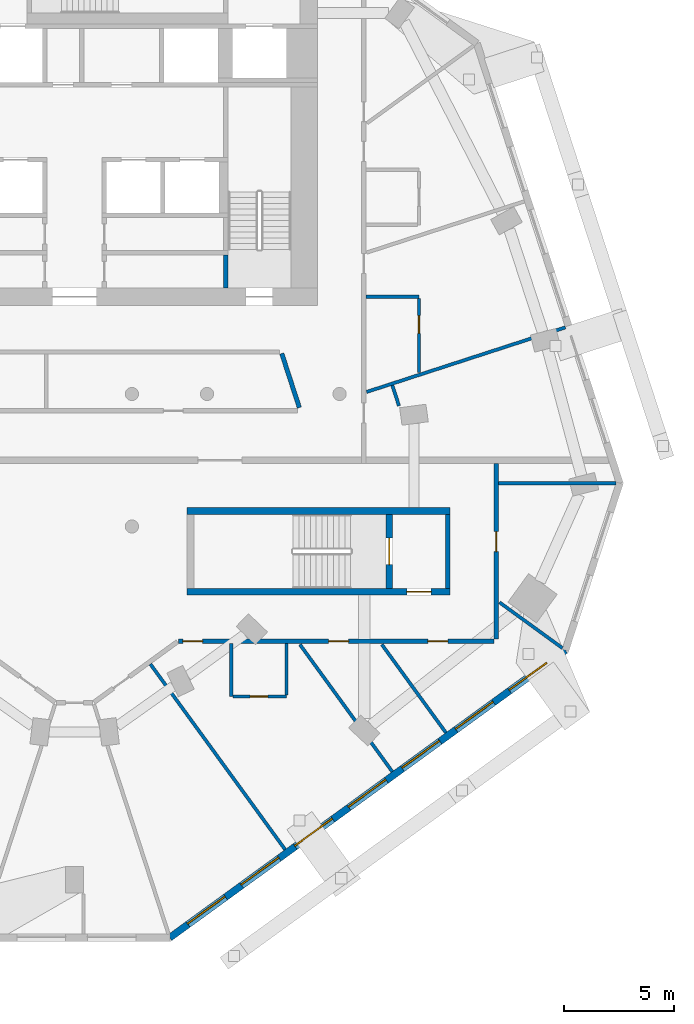
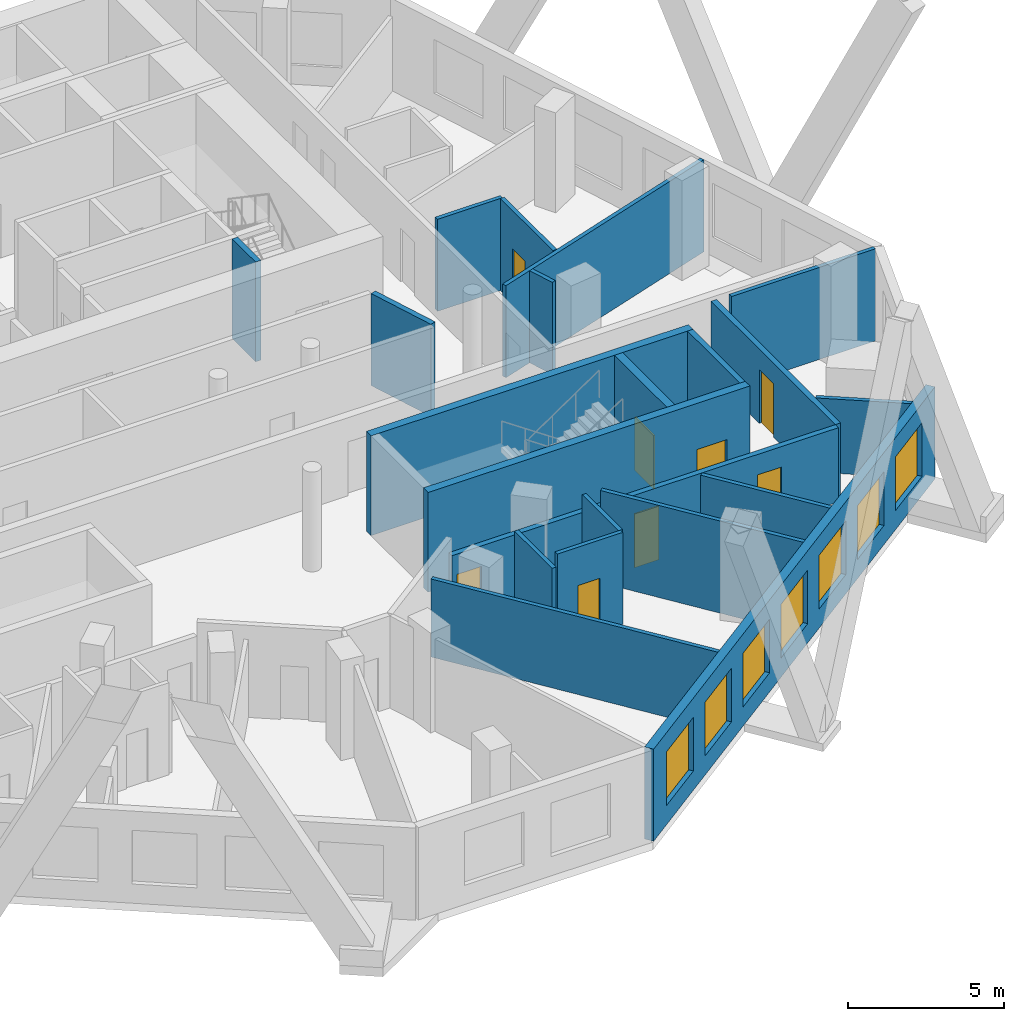
# One storey, part 5 of 10: 21 walls, 8 doors, 7 windows, 15 openings.
"""IFC4 building model written with IfcOpenShell, lengths in metres."""

from ifc_helpers import new_model, si_unit, direction, frame, frame_2d, origin, place, context, subcontext, project, spatial, rectangle, extrude, material, layer, layer_set, type_object, element, fill, save


model = new_model("IFC4")

# Units and contexts
model_context = context("Model", 3, precision=1e-05, world=origin(), true_north=direction((0.0, 1.0)))
body_context = subcontext(model_context, "Body", "Model", "MODEL_VIEW")
ifc_project = project(units=[si_unit("LENGTHUNIT", "METRE"), si_unit("AREAUNIT", "SQUARE_METRE"), si_unit("VOLUMEUNIT", "CUBIC_METRE"), si_unit("PLANEANGLEUNIT", "RADIAN"), si_unit("MASSUNIT", "GRAM", prefix="KILO")], contexts=[model_context])

# Site, building, storey
site_placement = place(None, origin())
site = spatial("IfcSite", under=ifc_project, at=site_placement, CompositionType="ELEMENT")
building_placement = place(site_placement, origin())
building = spatial("IfcBuilding", under=site, at=building_placement, Name="White Candle Pilgrim Tower", CompositionType="ELEMENT")
storey_placement = place(building_placement, frame((0.0, 0.0, 208.199951171875)))
storey = spatial("IfcBuildingStorey", under=building, at=storey_placement, Name="L48", CompositionType="ELEMENT", Elevation=208.199951171875)

# Wall
ifc_material_1 = material(Name="Concrete C50/60", Category="concrete")
ifc_layer_1 = layer(ifc_material_1, 0.199951171875)
ifc_layer_set_1 = layer_set([ifc_layer_1], Name="Core wall 200 mm Concrete C50/60")
wall_type_1 = type_object("IfcWallType", Name="Core wall 200 mm Concrete C50/60", PredefinedType="SHEAR", material=ifc_layer_set_1)
wall_1_placement = place(storey_placement, frame((86.89990234375, 58.199951171875, 0.0), z_axis=(0.0, 0.0, 1.0), x_axis=(0.0, 1.0, 0.0)))
element("IfcWall", 1, at=wall_1_placement, inside=storey, type_object=wall_type_1, Name="WL-L48-C08", PredefinedType="SHEAR", context=body_context, shape_type="SweptSolid", body=[
    extrude(rectangle(XDim=3.35009765625, YDim=0.199951171875, at=frame_2d((1.675048828125, 0.0))), origin(), (0.0, 0.0, 1.0), 3.900146484375),
])

# Wall, opening, door
ifc_material_2 = material(Name="Gypsum board on steel studs", Category="steel")
ifc_layer_2 = layer(ifc_material_2, 0.199951171875)
ifc_layer_set_2 = layer_set([ifc_layer_2], Name="Corridor wall 200 mm EI 45")
wall_type_2 = type_object("IfcWallType", Name="Corridor wall 200 mm EI 45", PredefinedType="PARTITIONING", material=ifc_layer_set_2)
wall_2_placement = place(storey_placement, frame((89.10009765625, 63.85009765625, 0.0), z_axis=(0.0, 0.0, 1.0), x_axis=(0.0, -1.0, 0.0)))
wall_2 = element("IfcWall", 2, at=wall_2_placement, inside=storey, type_object=wall_type_2, Name="WL-L48-P004", PredefinedType="PARTITIONING", context=body_context, shape_type="SweptSolid", body=[
    extrude(rectangle(XDim=7.9501953125, YDim=0.199951171875, at=frame_2d((3.97509765625, 0.0))), origin(), (0.0, 0.0, 1.0), 2.900146484375),
])
opening_1_placement = place(wall_2_placement, frame((3.08349609375, 0.0, 0.0)))
opening_1 = element("IfcOpeningElement", 3, at=opening_1_placement, cuts=wall_2, Name="Opening T15-116", PredefinedType="OPENING", context=body_context, shape_type="SweptSolid", body=[
    extrude(rectangle(XDim=0.89990234375, YDim=2.10009765625, at=frame_2d((0.449951171875, 1.050048828125))), frame((0.0, 0.10986328125, 0.0), z_axis=(0.0, -1.0, 0.0), x_axis=(1.0, 0.0, 0.0)), (0.0, 0.0, 1.0), 0.219970703125),
])
ifc_material_3 = material(Name="Steel door leaf", Category="steel")
door_type_1 = type_object("IfcDoorType", Name="Fire door 900 x 2100 EI 30", OperationType="NOTDEFINED", PredefinedType="DOOR", material=ifc_material_3)
door_1_placement = place(opening_1_placement, origin())
door_1 = element("IfcDoor", 4, at=door_1_placement, inside=storey, type_object=door_type_1, Name="Door T15-116", OperationType="SINGLE_SWING_RIGHT", OverallHeight=2.10009765625, OverallWidth=0.89990234375, PredefinedType="DOOR", context=body_context, shape_type="SweptSolid", body=[
    extrude(rectangle(XDim=0.89990234375, YDim=2.10009765625, at=frame_2d((0.449951171875, 1.050048828125))), frame((0.0, 0.02490234375, 0.0), z_axis=(0.0, -1.0, 0.0), x_axis=(1.0, 0.0, 0.0)), (0.0, 0.0, 1.0), 0.050048828125),
])
fill(opening_1, door_1)

# Wall, openings, doors
wall_3_placement = place(storey_placement, frame((89.0, 55.800048828125, 0.0), z_axis=(0.0, 0.0, 1.0), x_axis=(-1.0, 0.0, 0.0)))
wall_3 = element("IfcWall", 5, at=wall_3_placement, inside=storey, type_object=wall_type_2, Name="WL-L48-P005", PredefinedType="PARTITIONING", context=body_context, shape_type="SweptSolid", body=[
    extrude(rectangle(XDim=14.28466796875, YDim=0.199951171875, at=frame_2d((7.142333984375, 0.0))), origin(), (0.0, 0.0, 1.0), 2.900146484375),
])
opening_2_placement = place(wall_3_placement, frame((13.197265625, 0.0, 0.0)))
opening_2 = element("IfcOpeningElement", 6, at=opening_2_placement, cuts=wall_3, Name="Opening T15-113", PredefinedType="OPENING", context=body_context, shape_type="SweptSolid", body=[
    extrude(rectangle(XDim=0.89990234375, YDim=2.10009765625, at=frame_2d((0.449951171875, 1.050048828125))), frame((0.0, 0.10986328125, 0.0), z_axis=(0.0, -1.0, 0.0), x_axis=(1.0, 0.0, 0.0)), (0.0, 0.0, 1.0), 0.219970703125),
])
opening_3_placement = place(wall_3_placement, frame((6.5927734375, 0.0, 0.0)))
opening_3 = element("IfcOpeningElement", 7, at=opening_3_placement, cuts=wall_3, Name="Opening T15-114", PredefinedType="OPENING", context=body_context, shape_type="SweptSolid", body=[
    extrude(rectangle(XDim=0.89990234375, YDim=2.10009765625, at=frame_2d((0.449951171875, 1.050048828125))), frame((0.0, 0.10986328125, 0.0), z_axis=(0.0, -1.0, 0.0), x_axis=(1.0, 0.0, 0.0)), (0.0, 0.0, 1.0), 0.219970703125),
])
opening_4_placement = place(wall_3_placement, frame((2.09423828125, 0.0, 0.0)))
opening_4 = element("IfcOpeningElement", 8, at=opening_4_placement, cuts=wall_3, Name="Opening T15-115", PredefinedType="OPENING", context=body_context, shape_type="SweptSolid", body=[
    extrude(rectangle(XDim=0.89990234375, YDim=2.10009765625, at=frame_2d((0.449951171875, 1.050048828125))), frame((0.0, 0.10986328125, 0.0), z_axis=(0.0, -1.0, 0.0), x_axis=(1.0, 0.0, 0.0)), (0.0, 0.0, 1.0), 0.219970703125),
])
door_2_placement = place(opening_2_placement, origin())
door_2 = element("IfcDoor", 9, at=door_2_placement, inside=storey, type_object=door_type_1, Name="Door T15-113", OperationType="SINGLE_SWING_LEFT", OverallHeight=2.10009765625, OverallWidth=0.89990234375, PredefinedType="DOOR", context=body_context, shape_type="SweptSolid", body=[
    extrude(rectangle(XDim=0.89990234375, YDim=2.10009765625, at=frame_2d((0.449951171875, 1.050048828125))), frame((0.0, 0.02490234375, 0.0), z_axis=(0.0, -1.0, 0.0), x_axis=(1.0, 0.0, 0.0)), (0.0, 0.0, 1.0), 0.050048828125),
])
fill(opening_2, door_2)
door_3_placement = place(opening_3_placement, origin())
door_3 = element("IfcDoor", 10, at=door_3_placement, inside=storey, type_object=door_type_1, Name="Door T15-114", OperationType="SINGLE_SWING_RIGHT", OverallHeight=2.10009765625, OverallWidth=0.89990234375, PredefinedType="DOOR", context=body_context, shape_type="SweptSolid", body=[
    extrude(rectangle(XDim=0.89990234375, YDim=2.10009765625, at=frame_2d((0.449951171875, 1.050048828125))), frame((0.0, 0.02490234375, 0.0), z_axis=(0.0, -1.0, 0.0), x_axis=(1.0, 0.0, 0.0)), (0.0, 0.0, 1.0), 0.050048828125),
])
fill(opening_3, door_3)
door_4_placement = place(opening_4_placement, origin())
door_4 = element("IfcDoor", 11, at=door_4_placement, inside=storey, type_object=door_type_1, Name="Door T15-115", OperationType="SINGLE_SWING_LEFT", OverallHeight=2.10009765625, OverallWidth=0.89990234375, PredefinedType="DOOR", context=body_context, shape_type="SweptSolid", body=[
    extrude(rectangle(XDim=0.89990234375, YDim=2.10009765625, at=frame_2d((0.449951171875, 1.050048828125))), frame((0.0, 0.02490234375, 0.0), z_axis=(0.0, -1.0, 0.0), x_axis=(1.0, 0.0, 0.0)), (0.0, 0.0, 1.0), 0.050048828125),
])
fill(opening_4, door_4)

# Wall
wall_4_placement = place(storey_placement, frame((80.181640625, 66.380859375, 0.0), z_axis=(0.0, 0.0, 1.0), x_axis=(-0.309053927645, 0.951044515155, 0.0)))
element("IfcWall", 12, at=wall_4_placement, inside=storey, type_object=wall_type_2, Name="WL-L48-P013", PredefinedType="PARTITIONING", context=body_context, shape_type="SweptSolid", body=[
    extrude(rectangle(XDim=2.576171875, YDim=0.199951171875, at=frame_2d((1.2880859375, 0.0))), origin(), (0.0, 0.0, 1.0), 3.60009765625),
])

# Wall, openings, windows
ifc_material_4 = material(Name="Precast concrete C40/50", Category="concrete")
ifc_layer_3 = layer(ifc_material_4, 0.320068359375)
ifc_layer_set_3 = layer_set([ifc_layer_3], Name="Facade wall EW1 precast concrete C40/50 pier wall with timber-lined reveals")
wall_type_3 = type_object("IfcWallType", Name="Facade wall EW1 precast concrete C40/50 pier wall with timber-lined reveals", PredefinedType="SOLIDWALL", material=ifc_layer_set_3)
wall_5_placement = place(storey_placement, frame((74.312744140625, 42.37939453125, 0.0), z_axis=(0.0, 0.0, 1.0), x_axis=(0.809018689846, 0.587782918669, 0.0)))
wall_5 = element("IfcWall", 13, at=wall_5_placement, inside=storey, type_object=wall_type_3, Name="Facade wall L48 SE", PredefinedType="SOLIDWALL", context=body_context, shape_type="SweptSolid", body=[
    extrude(rectangle(XDim=22.145751953125, YDim=0.320068359375, at=frame_2d((11.07275390625, 0.0))), origin(), (0.0, 0.0, 1.0), 3.60009765625),
])
opening_5_placement = place(wall_5_placement, frame((1.022705078125, 0.0, 0.75)))
opening_5 = element("IfcOpeningElement", 14, at=opening_5_placement, cuts=wall_5, Name="Opening W3", PredefinedType="OPENING", context=body_context, shape_type="SweptSolid", body=[
    extrude(rectangle(XDim=2.10009765625, YDim=2.10009765625, at=frame_2d((1.050048828125, 1.050048828125))), frame((0.0, 0.169921875, 0.0), z_axis=(0.0, -1.0, 0.0), x_axis=(1.0, 0.0, 0.0)), (0.0, 0.0, 1.0), 0.340087890625),
])
opening_6_placement = place(wall_5_placement, frame((4.022705078125, 0.0, 0.75)))
opening_6 = element("IfcOpeningElement", 15, at=opening_6_placement, cuts=wall_5, Name="Opening W3", PredefinedType="OPENING", context=body_context, shape_type="SweptSolid", body=[
    extrude(rectangle(XDim=2.10009765625, YDim=2.10009765625, at=frame_2d((1.050048828125, 1.050048828125))), frame((0.0, 0.169921875, 0.0), z_axis=(0.0, -1.0, 0.0), x_axis=(1.0, 0.0, 0.0)), (0.0, 0.0, 1.0), 0.340087890625),
])
opening_7_placement = place(wall_5_placement, frame((7.022705078125, 0.0, 0.75)))
opening_7 = element("IfcOpeningElement", 16, at=opening_7_placement, cuts=wall_5, Name="Opening W3", PredefinedType="OPENING", context=body_context, shape_type="SweptSolid", body=[
    extrude(rectangle(XDim=2.10009765625, YDim=2.10009765625, at=frame_2d((1.050048828125, 1.050048828125))), frame((0.0, 0.169921875, 0.0), z_axis=(0.0, -1.0, 0.0), x_axis=(1.0, 0.0, 0.0)), (0.0, 0.0, 1.0), 0.340087890625),
])
opening_8_placement = place(wall_5_placement, frame((10.022705078125, 0.0, 0.75)))
opening_8 = element("IfcOpeningElement", 17, at=opening_8_placement, cuts=wall_5, Name="Opening W3", PredefinedType="OPENING", context=body_context, shape_type="SweptSolid", body=[
    extrude(rectangle(XDim=2.10009765625, YDim=2.10009765625, at=frame_2d((1.050048828125, 1.050048828125))), frame((0.0, 0.169921875, 0.0), z_axis=(0.0, -1.0, 0.0), x_axis=(1.0, 0.0, 0.0)), (0.0, 0.0, 1.0), 0.340087890625),
])
opening_9_placement = place(wall_5_placement, frame((13.022705078125, 0.0, 0.75)))
opening_9 = element("IfcOpeningElement", 18, at=opening_9_placement, cuts=wall_5, Name="Opening W3", PredefinedType="OPENING", context=body_context, shape_type="SweptSolid", body=[
    extrude(rectangle(XDim=2.10009765625, YDim=2.10009765625, at=frame_2d((1.050048828125, 1.050048828125))), frame((0.0, 0.169921875, 0.0), z_axis=(0.0, -1.0, 0.0), x_axis=(1.0, 0.0, 0.0)), (0.0, 0.0, 1.0), 0.340087890625),
])
opening_10_placement = place(wall_5_placement, frame((16.022705078125, 0.0, 0.75)))
opening_10 = element("IfcOpeningElement", 19, at=opening_10_placement, cuts=wall_5, Name="Opening W3", PredefinedType="OPENING", context=body_context, shape_type="SweptSolid", body=[
    extrude(rectangle(XDim=2.10009765625, YDim=2.10009765625, at=frame_2d((1.050048828125, 1.050048828125))), frame((0.0, 0.169921875, 0.0), z_axis=(0.0, -1.0, 0.0), x_axis=(1.0, 0.0, 0.0)), (0.0, 0.0, 1.0), 0.340087890625),
])
opening_11_placement = place(wall_5_placement, frame((19.022705078125, 0.0, 0.75)))
opening_11 = element("IfcOpeningElement", 20, at=opening_11_placement, cuts=wall_5, Name="Opening W3", PredefinedType="OPENING", context=body_context, shape_type="SweptSolid", body=[
    extrude(rectangle(XDim=2.10009765625, YDim=2.10009765625, at=frame_2d((1.050048828125, 1.050048828125))), frame((0.0, 0.169921875, 0.0), z_axis=(0.0, -1.0, 0.0), x_axis=(1.0, 0.0, 0.0)), (0.0, 0.0, 1.0), 0.340087890625),
])
ifc_material_5 = material(Name="Timber frame with triple glazing", Category="wood")
window_type = type_object("IfcWindowType", Name="Window W3 2100x2100 timber frame triple glazing", PartitioningType="SINGLE_PANEL", PredefinedType="WINDOW", material=ifc_material_5)
window_1_placement = place(opening_5_placement, origin())
window_1 = element("IfcWindow", 21, at=window_1_placement, inside=storey, type_object=window_type, Name="Window W3 L48 SE 1", OverallHeight=2.10009765625, OverallWidth=2.10009765625, PartitioningType="SINGLE_PANEL", PredefinedType="WINDOW", context=body_context, shape_type="SweptSolid", body=[
    extrude(rectangle(XDim=2.10009765625, YDim=2.10009765625, at=frame_2d((1.050048828125, 1.050048828125))), frame((0.0, 0.070068359375, 0.0), z_axis=(0.0, -1.0, 0.0), x_axis=(1.0, 0.0, 0.0)), (0.0, 0.0, 1.0), 0.06005859375),
])
fill(opening_5, window_1)
window_2_placement = place(opening_6_placement, origin())
window_2 = element("IfcWindow", 22, at=window_2_placement, inside=storey, type_object=window_type, Name="Window W3 L48 SE 2", OverallHeight=2.10009765625, OverallWidth=2.10009765625, PartitioningType="SINGLE_PANEL", PredefinedType="WINDOW", context=body_context, shape_type="SweptSolid", body=[
    extrude(rectangle(XDim=2.10009765625, YDim=2.10009765625, at=frame_2d((1.050048828125, 1.050048828125))), frame((0.0, 0.070068359375, 0.0), z_axis=(0.0, -1.0, 0.0), x_axis=(1.0, 0.0, 0.0)), (0.0, 0.0, 1.0), 0.06005859375),
])
fill(opening_6, window_2)
window_3_placement = place(opening_7_placement, origin())
window_3 = element("IfcWindow", 23, at=window_3_placement, inside=storey, type_object=window_type, Name="Window W3 L48 SE 3", OverallHeight=2.10009765625, OverallWidth=2.10009765625, PartitioningType="SINGLE_PANEL", PredefinedType="WINDOW", context=body_context, shape_type="SweptSolid", body=[
    extrude(rectangle(XDim=2.10009765625, YDim=2.10009765625, at=frame_2d((1.050048828125, 1.050048828125))), frame((0.0, 0.070068359375, 0.0), z_axis=(0.0, -1.0, 0.0), x_axis=(1.0, 0.0, 0.0)), (0.0, 0.0, 1.0), 0.06005859375),
])
fill(opening_7, window_3)
window_4_placement = place(opening_8_placement, origin())
window_4 = element("IfcWindow", 24, at=window_4_placement, inside=storey, type_object=window_type, Name="Window W3 L48 SE 4", OverallHeight=2.10009765625, OverallWidth=2.10009765625, PartitioningType="SINGLE_PANEL", PredefinedType="WINDOW", context=body_context, shape_type="SweptSolid", body=[
    extrude(rectangle(XDim=2.10009765625, YDim=2.10009765625, at=frame_2d((1.050048828125, 1.050048828125))), frame((0.0, 0.070068359375, 0.0), z_axis=(0.0, -1.0, 0.0), x_axis=(1.0, 0.0, 0.0)), (0.0, 0.0, 1.0), 0.06005859375),
])
fill(opening_8, window_4)
window_5_placement = place(opening_9_placement, origin())
window_5 = element("IfcWindow", 25, at=window_5_placement, inside=storey, type_object=window_type, Name="Window W3 L48 SE 5", OverallHeight=2.10009765625, OverallWidth=2.10009765625, PartitioningType="SINGLE_PANEL", PredefinedType="WINDOW", context=body_context, shape_type="SweptSolid", body=[
    extrude(rectangle(XDim=2.10009765625, YDim=2.10009765625, at=frame_2d((1.050048828125, 1.050048828125))), frame((0.0, 0.070068359375, 0.0), z_axis=(0.0, -1.0, 0.0), x_axis=(1.0, 0.0, 0.0)), (0.0, 0.0, 1.0), 0.06005859375),
])
fill(opening_9, window_5)
window_6_placement = place(opening_10_placement, origin())
window_6 = element("IfcWindow", 26, at=window_6_placement, inside=storey, type_object=window_type, Name="Window W3 L48 SE 6", OverallHeight=2.10009765625, OverallWidth=2.10009765625, PartitioningType="SINGLE_PANEL", PredefinedType="WINDOW", context=body_context, shape_type="SweptSolid", body=[
    extrude(rectangle(XDim=2.10009765625, YDim=2.10009765625, at=frame_2d((1.050048828125, 1.050048828125))), frame((0.0, 0.070068359375, 0.0), z_axis=(0.0, -1.0, 0.0), x_axis=(1.0, 0.0, 0.0)), (0.0, 0.0, 1.0), 0.06005859375),
])
fill(opening_10, window_6)
window_7_placement = place(opening_11_placement, origin())
window_7 = element("IfcWindow", 27, at=window_7_placement, inside=storey, type_object=window_type, Name="Window W3 L48 SE 7", OverallHeight=2.10009765625, OverallWidth=2.10009765625, PartitioningType="SINGLE_PANEL", PredefinedType="WINDOW", context=body_context, shape_type="SweptSolid", body=[
    extrude(rectangle(XDim=2.10009765625, YDim=2.10009765625, at=frame_2d((1.050048828125, 1.050048828125))), frame((0.0, 0.070068359375, 0.0), z_axis=(0.0, -1.0, 0.0), x_axis=(1.0, 0.0, 0.0)), (0.0, 0.0, 1.0), 0.06005859375),
])
fill(opening_11, window_7)

# Walls
ifc_layer_4 = layer(ifc_material_2, 0.14990234375)
ifc_layer_set_4 = layer_set([ifc_layer_4], Name="Partition 150 mm EI 60")
wall_type_4 = type_object("IfcWallType", Name="Partition 150 mm EI 60", PredefinedType="PARTITIONING", material=ifc_layer_set_4)
wall_6_placement = place(storey_placement, frame((92.093017578125, 55.4951171875, 0.0), z_axis=(0.0, 0.0, 1.0), x_axis=(-0.809017810654, 0.587784128779, 0.0)))
element("IfcWall", 28, at=wall_6_placement, inside=storey, type_object=wall_type_4, Name="WL-L48-P020", PredefinedType="PARTITIONING", context=body_context, shape_type="SweptSolid", body=[
    extrude(rectangle(XDim=3.521484375, YDim=0.14990234375, at=frame_2d((1.7607421875, 0.0))), origin(), (0.0, 0.0, 1.0), 2.900146484375),
])
wall_7_placement = place(storey_placement, frame((94.519287109375, 62.96337890625, 0.0), z_axis=(0.0, 0.0, 1.0), x_axis=(-1.0, 0.0, 0.0)))
element("IfcWall", 29, at=wall_7_placement, inside=storey, type_object=wall_type_4, Name="WL-L48-P021", PredefinedType="PARTITIONING", context=body_context, shape_type="SweptSolid", body=[
    extrude(rectangle(XDim=5.3193359375, YDim=0.14990234375, at=frame_2d((2.65966796875, 0.0))), origin(), (0.0, 0.0, 1.0), 3.60009765625),
])
wall_8_placement = place(storey_placement, frame((79.536376953125, 46.372314453125, 0.0), z_axis=(0.0, 0.0, 1.0), x_axis=(-0.58778704822, 0.809015689554, 0.0)))
element("IfcWall", 30, at=wall_8_placement, inside=storey, type_object=wall_type_4, Name="WL-L48-P041", PredefinedType="PARTITIONING", context=body_context, shape_type="SweptSolid", body=[
    extrude(rectangle(XDim=10.380126953125, YDim=0.14990234375, at=frame_2d((5.18994140625, 0.0))), origin(), (0.0, 0.0, 1.0), 3.050048828125),
])
wall_9_placement = place(storey_placement, frame((84.390380859375, 49.89892578125, 0.0), z_axis=(0.0, 0.0, 1.0), x_axis=(-0.587771793652, 0.809026772479, 0.0)))
element("IfcWall", 31, at=wall_9_placement, inside=storey, type_object=wall_type_4, Name="WL-L48-P042", PredefinedType="PARTITIONING", context=body_context, shape_type="SweptSolid", body=[
    extrude(rectangle(XDim=7.115966796875, YDim=0.14990234375, at=frame_2d((3.55810546875, 0.0))), origin(), (0.0, 0.0, 1.0), 3.60009765625),
])
wall_10_placement = place(storey_placement, frame((86.8173828125, 51.662353515625, 0.0), z_axis=(0.0, 0.0, 1.0), x_axis=(-0.587759916297, 0.809035401447, 0.0)))
element("IfcWall", 32, at=wall_10_placement, inside=storey, type_object=wall_type_4, Name="WL-L48-P043", PredefinedType="PARTITIONING", context=body_context, shape_type="SweptSolid", body=[
    extrude(rectangle(XDim=4.936279296875, YDim=0.14990234375, at=frame_2d((2.46826171875, 0.0))), origin(), (0.0, 0.0, 1.0), 2.900146484375),
])
wall_11_placement = place(storey_placement, frame((77.10302734375, 55.699951171875, 0.0), z_axis=(0.0, 0.0, 1.0), x_axis=(0.0, -1.0, 0.0)))
element("IfcWall", 33, at=wall_11_placement, inside=storey, type_object=wall_type_4, Name="WL-L48-P044", PredefinedType="PARTITIONING", context=body_context, shape_type="SweptSolid", body=[
    extrude(rectangle(XDim=2.39990234375, YDim=0.14990234375, at=frame_2d((1.199951171875, 0.0))), origin(), (0.0, 0.0, 1.0), 3.050048828125),
])

# Wall, opening, door
wall_12_placement = place(storey_placement, frame((79.60302734375, 53.300048828125, 0.0), z_axis=(0.0, 0.0, 1.0), x_axis=(-1.0, 0.0, 0.0)))
wall_12 = element("IfcWall", 34, at=wall_12_placement, inside=storey, type_object=wall_type_4, Name="WL-L48-P045", PredefinedType="PARTITIONING", context=body_context, shape_type="SweptSolid", body=[
    extrude(rectangle(XDim=2.425048828125, YDim=0.14990234375, at=frame_2d((1.21240234375, 0.0))), origin(), (0.0, 0.0, 1.0), 3.60009765625),
])
opening_12_placement = place(wall_12_placement, frame((0.85009765625, 0.0, 0.0)))
opening_12 = element("IfcOpeningElement", 35, at=opening_12_placement, cuts=wall_12, Name="Opening T15-112", PredefinedType="OPENING", context=body_context, shape_type="SweptSolid", body=[
    extrude(rectangle(XDim=0.800048828125, YDim=2.10009765625, at=frame_2d((0.39990234375, 1.050048828125))), frame((0.0, 0.0849609375, 0.0), z_axis=(0.0, -1.0, 0.0), x_axis=(1.0, 0.0, 0.0)), (0.0, 0.0, 1.0), 0.169921875),
])
door_type_2 = type_object("IfcDoorType", Name="Fire door 800 x 2100 EI 30", OperationType="NOTDEFINED", PredefinedType="DOOR", material=ifc_material_3)
door_5_placement = place(opening_12_placement, origin())
door_5 = element("IfcDoor", 36, at=door_5_placement, inside=storey, type_object=door_type_2, Name="Door T15-112", OperationType="SINGLE_SWING_RIGHT", OverallHeight=2.10009765625, OverallWidth=0.800048828125, PredefinedType="DOOR", context=body_context, shape_type="SweptSolid", body=[
    extrude(rectangle(XDim=0.800048828125, YDim=2.10009765625, at=frame_2d((0.39990234375, 1.050048828125))), frame((0.0, 0.02490234375, 0.0), z_axis=(0.0, -1.0, 0.0), x_axis=(1.0, 0.0, 0.0)), (0.0, 0.0, 1.0), 0.050048828125),
])
fill(opening_12, door_5)

# Walls
wall_13_placement = place(storey_placement, frame((79.60302734375, 55.699951171875, 0.0), z_axis=(0.0, 0.0, 1.0), x_axis=(0.0, -1.0, 0.0)))
element("IfcWall", 37, at=wall_13_placement, inside=storey, type_object=wall_type_4, Name="WL-L48-P046", PredefinedType="PARTITIONING", context=body_context, shape_type="SweptSolid", body=[
    extrude(rectangle(XDim=2.324951171875, YDim=0.14990234375, at=frame_2d((1.16259765625, 0.0))), origin(), (0.0, 0.0, 1.0), 3.60009765625),
])
wall_14_placement = place(storey_placement, frame((92.2275390625, 70.016845703125, 0.0), z_axis=(0.0, 0.0, 1.0), x_axis=(-0.951061731956, -0.309000941761, 0.0)))
element("IfcWall", 38, at=wall_14_placement, inside=storey, type_object=wall_type_4, Name="WL-L48-P047", PredefinedType="PARTITIONING", context=body_context, shape_type="SweptSolid", body=[
    extrude(rectangle(XDim=9.4677734375, YDim=0.14990234375, at=frame_2d((4.73388671875, 0.0))), origin(), (0.0, 0.0, 1.0), 3.60009765625),
])
wall_15_placement = place(storey_placement, frame((83.199951171875, 71.39990234375, 0.0), z_axis=(0.0, 0.0, 1.0), x_axis=(1.0, 0.0, 0.0)))
element("IfcWall", 39, at=wall_15_placement, inside=storey, type_object=wall_type_4, Name="WL-L48-P049", PredefinedType="PARTITIONING", context=body_context, shape_type="SweptSolid", body=[
    extrude(rectangle(XDim=2.400146484375, YDim=0.14990234375, at=frame_2d((1.2001953125, 0.0))), origin(), (0.0, 0.0, 1.0), 3.60009765625),
])

# Wall, opening, door
wall_16_placement = place(storey_placement, frame((85.60009765625, 67.966796875, 0.0), z_axis=(0.0, 0.0, 1.0), x_axis=(0.0, 1.0, 0.0)))
wall_16 = element("IfcWall", 40, at=wall_16_placement, inside=storey, type_object=wall_type_4, Name="WL-L48-P050", PredefinedType="PARTITIONING", context=body_context, shape_type="SweptSolid", body=[
    extrude(rectangle(XDim=3.358154296875, YDim=0.14990234375, at=frame_2d((1.67919921875, 0.0))), origin(), (0.0, 0.0, 1.0), 3.60009765625),
])
opening_13_placement = place(wall_16_placement, frame((1.783203125, 0.0, 0.0)))
opening_13 = element("IfcOpeningElement", 41, at=opening_13_placement, cuts=wall_16, Name="Opening T15-117", PredefinedType="OPENING", context=body_context, shape_type="SweptSolid", body=[
    extrude(rectangle(XDim=0.800048828125, YDim=2.10009765625, at=frame_2d((0.39990234375, 1.050048828125))), frame((0.0, 0.0849609375, 0.0), z_axis=(0.0, -1.0, 0.0), x_axis=(1.0, 0.0, 0.0)), (0.0, 0.0, 1.0), 0.169921875),
])
door_6_placement = place(opening_13_placement, frame((0.800048828125, 0.0, 0.0), z_axis=(0.0, 0.0, 1.0), x_axis=(-1.0, 0.0, 0.0)))
door_6 = element("IfcDoor", 42, at=door_6_placement, inside=storey, type_object=door_type_2, Name="Door T15-117", OperationType="SINGLE_SWING_RIGHT", OverallHeight=2.10009765625, OverallWidth=0.800048828125, PredefinedType="DOOR", context=body_context, shape_type="SweptSolid", body=[
    extrude(rectangle(XDim=0.800048828125, YDim=2.10009765625, at=frame_2d((0.39990234375, 1.050048828125))), frame((0.0, 0.02490234375, 0.0), z_axis=(0.0, -1.0, 0.0), x_axis=(1.0, 0.0, 0.0)), (0.0, 0.0, 1.0), 0.050048828125),
])
fill(opening_13, door_6)

# Walls
wall_17_placement = place(storey_placement, frame((84.693359375, 66.462158203125, 0.0), z_axis=(0.0, 0.0, 1.0), x_axis=(-0.308950530708, 0.951078109082, 0.0)))
element("IfcWall", 43, at=wall_17_placement, inside=storey, type_object=wall_type_4, Name="WL-L48-P059", PredefinedType="PARTITIONING", context=body_context, shape_type="SweptSolid", body=[
    extrude(rectangle(XDim=0.9775390625, YDim=0.14990234375, at=frame_2d((0.48876953125, 0.0))), origin(), (0.0, 0.0, 1.0), 3.60009765625),
])
ifc_layer_5 = layer(ifc_material_1, 0.199951171875)
ifc_layer_set_5 = layer_set([ifc_layer_5], Name="Stair shaft wall 200 mm Concrete C50/60")
wall_type_5 = type_object("IfcWallType", Name="Stair shaft wall 200 mm Concrete C50/60", PredefinedType="SHEAR", material=ifc_layer_set_5)
wall_18_placement = place(storey_placement, frame((76.85009765625, 71.800048828125, 0.0), z_axis=(0.0, 0.0, 1.0), x_axis=(0.0, 1.0, 0.0)))
element("IfcWall", 44, at=wall_18_placement, inside=storey, type_object=wall_type_5, Name="WL-L48-C16", PredefinedType="SHEAR", context=body_context, shape_type="SweptSolid", body=[
    extrude(rectangle(XDim=1.5, YDim=0.199951171875, at=frame_2d((0.75, 0.0))), origin(), (0.0, 0.0, 1.0), 3.900146484375),
])

# Wall, opening, door
ifc_layer_6 = layer(ifc_material_1, 0.300048828125)
ifc_layer_set_6 = layer_set([ifc_layer_6], Name="Stair shaft wall 300 mm Concrete C50/60")
wall_type_6 = type_object("IfcWallType", Name="Stair shaft wall 300 mm Concrete C50/60", PredefinedType="SHEAR", material=ifc_layer_set_6)
wall_19_placement = place(storey_placement, frame((75.10009765625, 58.050048828125, 0.0), z_axis=(0.0, 0.0, 1.0), x_axis=(1.0, 0.0, 0.0)))
wall_19 = element("IfcWall", 45, at=wall_19_placement, inside=storey, type_object=wall_type_6, Name="WL-L48-C02", PredefinedType="SHEAR", context=body_context, shape_type="SweptSolid", body=[
    extrude(rectangle(XDim=11.89990234375, YDim=0.300048828125, at=frame_2d((5.949951171875, 0.0))), origin(), (0.0, 0.0, 1.0), 3.900146484375),
])
opening_14_placement = place(wall_19_placement, frame((9.949951171875, 0.0, 0.0)))
opening_14 = element("IfcOpeningElement", 46, at=opening_14_placement, cuts=wall_19, Name="Opening T15-013", PredefinedType="OPENING", context=body_context, shape_type="SweptSolid", body=[
    extrude(rectangle(XDim=1.10009765625, YDim=2.10009765625, at=frame_2d((0.550048828125, 1.050048828125))), frame((0.0, 0.159912109375, 0.0), z_axis=(0.0, -1.0, 0.0), x_axis=(1.0, 0.0, 0.0)), (0.0, 0.0, 1.0), 0.320068359375),
])
door_type_3 = type_object("IfcDoorType", Name="Fire door 1100 x 2100 EI 60", OperationType="NOTDEFINED", PredefinedType="DOOR", material=ifc_material_3)
door_7_placement = place(opening_14_placement, origin())
door_7 = element("IfcDoor", 47, at=door_7_placement, inside=storey, type_object=door_type_3, Name="Door T15-013", OperationType="SINGLE_SWING_LEFT", OverallHeight=2.10009765625, OverallWidth=1.10009765625, PredefinedType="DOOR", context=body_context, shape_type="SweptSolid", body=[
    extrude(rectangle(XDim=1.10009765625, YDim=2.10009765625, at=frame_2d((0.550048828125, 1.050048828125))), frame((0.0, 0.02490234375, 0.0), z_axis=(0.0, -1.0, 0.0), x_axis=(1.0, 0.0, 0.0)), (0.0, 0.0, 1.0), 0.050048828125),
])
fill(opening_14, door_7)

wall_20_placement = place(storey_placement, frame((84.25, 58.199951171875, 0.0), z_axis=(0.0, 0.0, 1.0), x_axis=(0.0, 1.0, 0.0)))
wall_20 = element("IfcWall", 48, at=wall_20_placement, inside=storey, type_object=wall_type_6, Name="WL-L48-C07", PredefinedType="SHEAR", context=body_context, shape_type="SweptSolid", body=[
    extrude(rectangle(XDim=3.35009765625, YDim=0.300048828125, at=frame_2d((1.675048828125, 0.0))), origin(), (0.0, 0.0, 1.0), 3.900146484375),
])
opening_15_placement = place(wall_20_placement, frame((1.074951171875, 0.0, 0.0)))
opening_15 = element("IfcOpeningElement", 49, at=opening_15_placement, cuts=wall_20, Name="Opening T15-014", PredefinedType="OPENING", context=body_context, shape_type="SweptSolid", body=[
    extrude(rectangle(XDim=1.199951171875, YDim=2.10009765625, at=frame_2d((0.60009765625, 1.050048828125))), frame((0.0, 0.159912109375, 0.0), z_axis=(0.0, -1.0, 0.0), x_axis=(1.0, 0.0, 0.0)), (0.0, 0.0, 1.0), 0.320068359375),
])
door_type_4 = type_object("IfcDoorType", Name="Fire door 1200 x 2100 EI 60", OperationType="NOTDEFINED", PredefinedType="DOOR", material=ifc_material_3)
door_8_placement = place(opening_15_placement, origin())
door_8 = element("IfcDoor", 50, at=door_8_placement, inside=storey, type_object=door_type_4, Name="Door T15-014", OperationType="SINGLE_SWING_RIGHT", OverallHeight=2.10009765625, OverallWidth=1.199951171875, PredefinedType="DOOR", context=body_context, shape_type="SweptSolid", body=[
    extrude(rectangle(XDim=1.199951171875, YDim=2.10009765625, at=frame_2d((0.60009765625, 1.050048828125))), frame((0.0, 0.02490234375, 0.0), z_axis=(0.0, -1.0, 0.0), x_axis=(1.0, 0.0, 0.0)), (0.0, 0.0, 1.0), 0.050048828125),
])
fill(opening_15, door_8)

# Wall
wall_21_placement = place(storey_placement, frame((75.10009765625, 61.699951171875, 0.0), z_axis=(0.0, 0.0, 1.0), x_axis=(1.0, 0.0, 0.0)))
element("IfcWall", 51, at=wall_21_placement, inside=storey, type_object=wall_type_6, Name="WL-L48-C10", PredefinedType="SHEAR", context=body_context, shape_type="SweptSolid", body=[
    extrude(rectangle(XDim=11.89990234375, YDim=0.300048828125, at=frame_2d((5.949951171875, 0.0))), origin(), (0.0, 0.0, 1.0), 3.900146484375),
])

save(model, "model.ifc")
